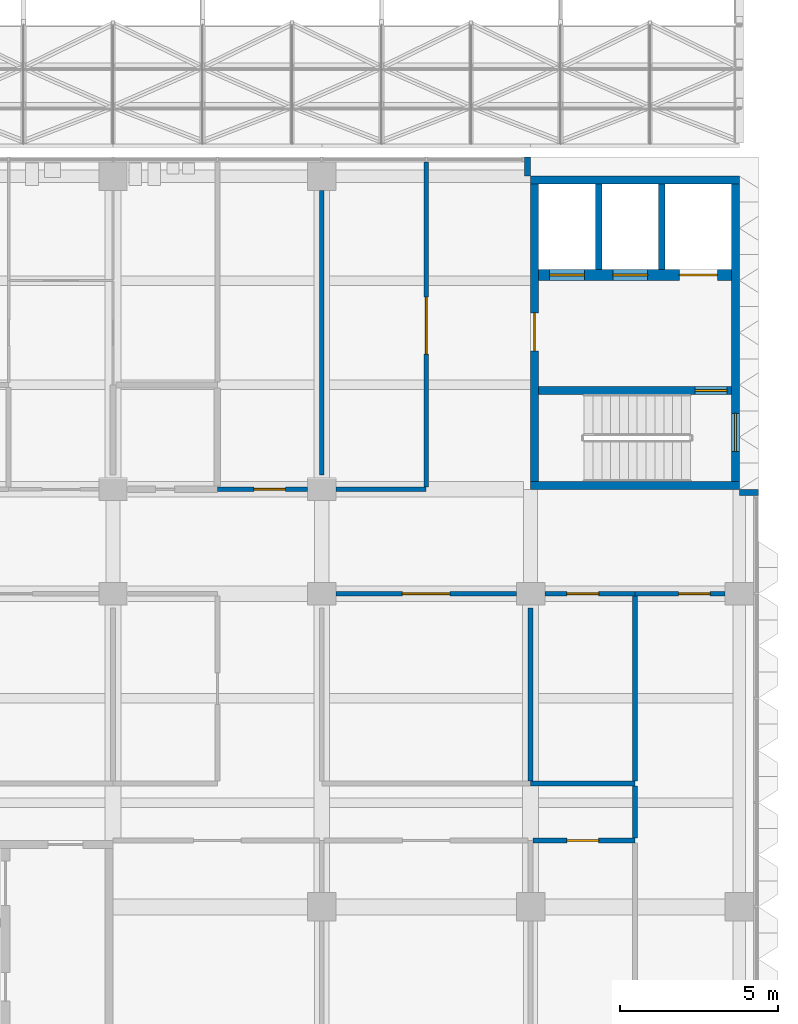
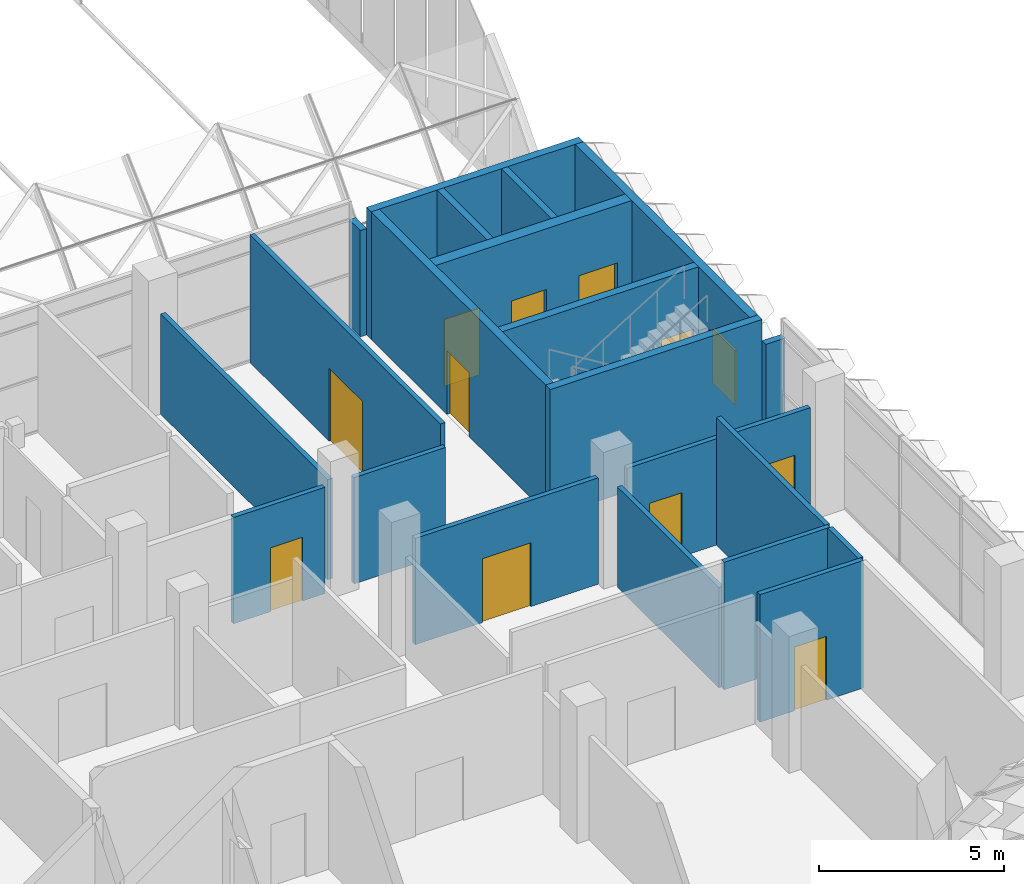
# One storey, part 55 of 109: 22 walls, 11 doors, 1 window, 12 openings.
"""IFC4 building model written with IfcOpenShell, lengths in metres."""

from ifc_helpers import new_model, si_unit, direction, frame, frame_2d, origin, place, context, subcontext, project, spatial, rectangle, extrude, material, layer, layer_set, type_object, element, fill, save


model = new_model("IFC4")

# Units and contexts
model_context = context("Model", 3, precision=1e-05, world=origin(), true_north=direction((0.0, 1.0)))
body_context = subcontext(model_context, "Body", "Model", "MODEL_VIEW")
ifc_project = project(units=[si_unit("LENGTHUNIT", "METRE"), si_unit("AREAUNIT", "SQUARE_METRE"), si_unit("VOLUMEUNIT", "CUBIC_METRE"), si_unit("PLANEANGLEUNIT", "RADIAN"), si_unit("MASSUNIT", "GRAM", prefix="KILO")], contexts=[model_context])

# Site, building, storey
site_placement = place(None, origin())
site = spatial("IfcSite", under=ifc_project, at=site_placement, CompositionType="ELEMENT")
building_placement = place(site_placement, origin())
building = spatial("IfcBuilding", under=site, at=building_placement, Name="Lantern Court Research Institute", CompositionType="ELEMENT")
storey_placement = place(building_placement, frame((0.0, 0.0, 14.39990234375)))
storey = spatial("IfcBuildingStorey", under=building, at=storey_placement, Name="L03", CompositionType="ELEMENT", Elevation=14.39990234375)

# Wall, opening, door
ifc_material_1 = material(Name="Fire-rated gypsum board partition, mineral wool filled")
ifc_layer_1 = layer(ifc_material_1, 0.14990234375)
ifc_layer_set_1 = layer_set([ifc_layer_1], Name="Fire-rated gypsum board partition, mineral wool filled")
wall_type_1 = type_object("IfcWallType", Name="Laboratory partition 150 EI 60", PredefinedType="PARTITIONING", material=ifc_layer_set_1)
wall_1_placement = place(storey_placement, frame((65.550048828125, 13.199951171875, 0.0), z_axis=(0.0, 0.0, 1.0), x_axis=(-1.0, 0.0, 0.0)))
wall_1 = element("IfcWall", 1, at=wall_1_placement, inside=storey, type_object=wall_type_1, Name="Laboratory partition 150 EI 60", PredefinedType="PARTITIONING", context=body_context, shape_type="SweptSolid", body=[
    extrude(rectangle(XDim=2.85009765625, YDim=0.14990234375, at=frame_2d((1.425048828125, 0.0))), origin(), (0.0, 0.0, 1.0), 3.5),
])
opening_1_placement = place(wall_1_placement, frame((0.699951171875, 0.0, 0.0)))
opening_1 = element("IfcOpeningElement", 2, at=opening_1_placement, cuts=wall_1, Name="Opening D5307", PredefinedType="OPENING", context=body_context, shape_type="SweptSolid", body=[
    extrude(rectangle(XDim=1.0, YDim=2.10009765625, at=frame_2d((0.5, 1.050048828125))), frame((0.0, 0.0849609375, 0.0), z_axis=(0.0, -1.0, 0.0), x_axis=(1.0, 0.0, 0.0)), (0.0, 0.0, 1.0), 0.169921875),
])
ifc_material_2 = material(Name="Solid-core timber door leaf with vision panel", Category="wood")
ifc_layer_2 = layer(ifc_material_2, 0.053955078125)
ifc_layer_set_2 = layer_set([ifc_layer_2], Name="Solid-core timber door leaf with vision panel")
door_type_1 = type_object("IfcDoorType", Name="Laboratory door 1000 x 2100 single FD30S", OperationType="NOTDEFINED", PredefinedType="DOOR", material=ifc_layer_set_2)
door_1_placement = place(opening_1_placement, origin())
door_1 = element("IfcDoor", 3, at=door_1_placement, inside=storey, type_object=door_type_1, Name="Door D5307", OperationType="SINGLE_SWING_LEFT", OverallHeight=2.10009765625, OverallWidth=1.0, PredefinedType="DOOR", context=body_context, shape_type="SweptSolid", body=[
    extrude(rectangle(XDim=1.0, YDim=2.10009765625, at=frame_2d((0.5, 1.050048828125))), frame((0.0, 0.02685546875, 0.0), z_axis=(0.0, -1.0, 0.0), x_axis=(1.0, 0.0, 0.0)), (0.0, 0.0, 1.0), 0.053955078125),
])
fill(opening_1, door_1)

# Wall
wall_2_placement = place(storey_placement, frame((69.300048828125, 13.199951171875, 0.0), z_axis=(0.0, 0.0, 1.0), x_axis=(-1.0, 0.0, 0.0)))
element("IfcWall", 4, at=wall_2_placement, inside=storey, type_object=wall_type_1, Name="Laboratory partition 150 EI 60", PredefinedType="PARTITIONING", context=body_context, shape_type="SweptSolid", body=[
    extrude(rectangle(XDim=2.85009765625, YDim=0.14990234375, at=frame_2d((1.425048828125, 0.0))), origin(), (0.0, 0.0, 1.0), 3.5),
])

# Wall, opening, door
wall_3_placement = place(storey_placement, frame((66.449951171875, 9.89990234375, 0.0), z_axis=(0.0, 0.0, 1.0), x_axis=(1.0, 0.0, 0.0)))
wall_3 = element("IfcWall", 5, at=wall_3_placement, inside=storey, type_object=wall_type_1, Name="Laboratory partition 150 EI 60", PredefinedType="PARTITIONING", context=body_context, shape_type="SweptSolid", body=[
    extrude(rectangle(XDim=5.699951171875, YDim=0.14990234375, at=frame_2d((2.85009765625, 0.0))), origin(), (0.0, 0.0, 1.0), 3.5),
])
opening_2_placement = place(wall_3_placement, frame((2.10009765625, 0.0, 0.0)))
opening_2 = element("IfcOpeningElement", 6, at=opening_2_placement, cuts=wall_3, Name="Opening D5314", PredefinedType="OPENING", context=body_context, shape_type="SweptSolid", body=[
    extrude(rectangle(XDim=1.5, YDim=2.10009765625, at=frame_2d((0.75, 1.050048828125))), frame((0.0, 0.0849609375, 0.0), z_axis=(0.0, -1.0, 0.0), x_axis=(1.0, 0.0, 0.0)), (0.0, 0.0, 1.0), 0.169921875),
])
ifc_material_3 = material(Name="Solid-core timber door leaf with vision panel", Category="wood")
ifc_layer_3 = layer(ifc_material_3, 0.053955078125)
ifc_layer_set_3 = layer_set([ifc_layer_3], Name="Solid-core timber door leaf with vision panel")
door_type_2 = type_object("IfcDoorType", Name="Laboratory double door 1500 x 2100 pair FD30S", OperationType="DOUBLE_DOOR_SINGLE_SWING", PredefinedType="DOOR", material=ifc_layer_set_3)
door_2_placement = place(opening_2_placement, origin())
door_2 = element("IfcDoor", 7, at=door_2_placement, inside=storey, type_object=door_type_2, Name="Door D5314", OperationType="DOUBLE_DOOR_SINGLE_SWING", OverallHeight=2.10009765625, OverallWidth=1.5, PredefinedType="DOOR", context=body_context, shape_type="SweptSolid", body=[
    extrude(rectangle(XDim=1.5, YDim=2.10009765625, at=frame_2d((0.75, 1.050048828125))), frame((0.0, 0.02685546875, 0.0), z_axis=(0.0, -1.0, 0.0), x_axis=(1.0, 0.0, 0.0)), (0.0, 0.0, 1.0), 0.053955078125),
])
fill(opening_2, door_2)

wall_4_placement = place(storey_placement, frame((73.050048828125, 9.89990234375, 0.0), z_axis=(0.0, 0.0, 1.0), x_axis=(1.0, 0.0, 0.0)))
wall_4 = element("IfcWall", 8, at=wall_4_placement, inside=storey, type_object=wall_type_1, Name="Laboratory partition 150 EI 60", PredefinedType="PARTITIONING", context=body_context, shape_type="SweptSolid", body=[
    extrude(rectangle(XDim=2.849853515625, YDim=0.14990234375, at=frame_2d((1.4248046875, 0.0))), origin(), (0.0, 0.0, 1.0), 3.5),
])
opening_3_placement = place(wall_4_placement, frame((0.699951171875, 0.0, 0.0)))
opening_3 = element("IfcOpeningElement", 9, at=opening_3_placement, cuts=wall_4, Name="Opening D5315", PredefinedType="OPENING", context=body_context, shape_type="SweptSolid", body=[
    extrude(rectangle(XDim=1.0, YDim=2.10009765625, at=frame_2d((0.5, 1.050048828125))), frame((0.0, 0.0849609375, 0.0), z_axis=(0.0, -1.0, 0.0), x_axis=(1.0, 0.0, 0.0)), (0.0, 0.0, 1.0), 0.169921875),
])
door_3_placement = place(opening_3_placement, origin())
door_3 = element("IfcDoor", 10, at=door_3_placement, inside=storey, type_object=door_type_1, Name="Door D5315", OperationType="SINGLE_SWING_LEFT", OverallHeight=2.10009765625, OverallWidth=1.0, PredefinedType="DOOR", context=body_context, shape_type="SweptSolid", body=[
    extrude(rectangle(XDim=1.0, YDim=2.10009765625, at=frame_2d((0.5, 1.050048828125))), frame((0.0, 0.02685546875, 0.0), z_axis=(0.0, -1.0, 0.0), x_axis=(1.0, 0.0, 0.0)), (0.0, 0.0, 1.0), 0.053955078125),
])
fill(opening_3, door_3)

wall_5_placement = place(storey_placement, frame((75.89990234375, 9.89990234375, 0.0), z_axis=(0.0, 0.0, 1.0), x_axis=(1.0, 0.0, 0.0)))
wall_5 = element("IfcWall", 11, at=wall_5_placement, inside=storey, type_object=wall_type_1, Name="Laboratory partition 150 EI 60", PredefinedType="PARTITIONING", context=body_context, shape_type="SweptSolid", body=[
    extrude(rectangle(XDim=2.85009765625, YDim=0.14990234375, at=frame_2d((1.425048828125, 0.0))), origin(), (0.0, 0.0, 1.0), 3.5),
])
opening_4_placement = place(wall_5_placement, frame((1.375, 0.0, 0.0)))
opening_4 = element("IfcOpeningElement", 12, at=opening_4_placement, cuts=wall_5, Name="Opening D5316", PredefinedType="OPENING", context=body_context, shape_type="SweptSolid", body=[
    extrude(rectangle(XDim=1.0, YDim=2.10009765625, at=frame_2d((0.5, 1.050048828125))), frame((0.0, 0.0849609375, 0.0), z_axis=(0.0, -1.0, 0.0), x_axis=(1.0, 0.0, 0.0)), (0.0, 0.0, 1.0), 0.169921875),
])
door_4_placement = place(opening_4_placement, origin())
door_4 = element("IfcDoor", 13, at=door_4_placement, inside=storey, type_object=door_type_1, Name="Door D5316", OperationType="SINGLE_SWING_LEFT", OverallHeight=2.10009765625, OverallWidth=1.0, PredefinedType="DOOR", context=body_context, shape_type="SweptSolid", body=[
    extrude(rectangle(XDim=1.0, YDim=2.10009765625, at=frame_2d((0.5, 1.050048828125))), frame((0.0, 0.02685546875, 0.0), z_axis=(0.0, -1.0, 0.0), x_axis=(1.0, 0.0, 0.0)), (0.0, 0.0, 1.0), 0.053955078125),
])
fill(opening_4, door_4)

# Wall
wall_6_placement = place(storey_placement, frame((66.0, 13.64990234375, 0.0), z_axis=(0.0, 0.0, 1.0), x_axis=(0.0, 1.0, 0.0)))
element("IfcWall", 14, at=wall_6_placement, inside=storey, type_object=wall_type_1, Name="Laboratory partition 150 EI 60", PredefinedType="PARTITIONING", context=body_context, shape_type="SweptSolid", body=[
    extrude(rectangle(XDim=9.0, YDim=0.14990234375, at=frame_2d((4.5, 0.0))), origin(), (0.0, 0.0, 1.0), 3.300048828125),
])

# Wall, opening, door
wall_7_placement = place(storey_placement, frame((69.300048828125, 23.550048828125, 0.0), z_axis=(0.0, 0.0, 1.0), x_axis=(0.0, -1.0, 0.0)))
wall_7 = element("IfcWall", 15, at=wall_7_placement, inside=storey, type_object=wall_type_1, Name="Laboratory partition 150 EI 60", PredefinedType="PARTITIONING", context=body_context, shape_type="SweptSolid", body=[
    extrude(rectangle(XDim=10.275146484375, YDim=0.14990234375, at=frame_2d((5.1376953125, 0.0))), origin(), (0.0, 0.0, 1.0), 4.2001953125),
])
opening_5_placement = place(wall_7_placement, frame((4.27490234375, 0.0, 0.0)))
opening_5 = element("IfcOpeningElement", 16, at=opening_5_placement, cuts=wall_7, Name="Opening D5308", PredefinedType="OPENING", context=body_context, shape_type="SweptSolid", body=[
    extrude(rectangle(XDim=1.800048828125, YDim=2.39990234375, at=frame_2d((0.89990234375, 1.199951171875))), frame((0.0, 0.0849609375, 0.0), z_axis=(0.0, -1.0, 0.0), x_axis=(1.0, 0.0, 0.0)), (0.0, 0.0, 1.0), 0.169921875),
])
ifc_material_4 = material(Name="Solid-core timber door leaf with vision panel", Category="wood")
ifc_layer_4 = layer(ifc_material_4, 0.053955078125)
ifc_layer_set_4 = layer_set([ifc_layer_4], Name="Solid-core timber door leaf with vision panel")
door_type_3 = type_object("IfcDoorType", Name="Laboratory equipment door 1800 x 2400 pair FD30S", OperationType="DOUBLE_DOOR_SINGLE_SWING", PredefinedType="DOOR", material=ifc_layer_set_4)
door_5_placement = place(opening_5_placement, origin())
door_5 = element("IfcDoor", 17, at=door_5_placement, inside=storey, type_object=door_type_3, Name="Door D5308", OperationType="DOUBLE_DOOR_SINGLE_SWING", OverallHeight=2.39990234375, OverallWidth=1.800048828125, PredefinedType="DOOR", context=body_context, shape_type="SweptSolid", body=[
    extrude(rectangle(XDim=1.800048828125, YDim=2.39990234375, at=frame_2d((0.89990234375, 1.199951171875))), frame((0.0, 0.02685546875, 0.0), z_axis=(0.0, -1.0, 0.0), x_axis=(1.0, 0.0, 0.0)), (0.0, 0.0, 1.0), 0.053955078125),
])
fill(opening_5, door_5)

wall_8_placement = place(storey_placement, frame((75.89990234375, 2.10009765625, 0.0), z_axis=(0.0, 0.0, 1.0), x_axis=(-1.0, 0.0, 0.0)))
wall_8 = element("IfcWall", 18, at=wall_8_placement, inside=storey, type_object=wall_type_1, Name="Laboratory partition 150 EI 60", PredefinedType="PARTITIONING", context=body_context, shape_type="SweptSolid", body=[
    extrude(rectangle(XDim=3.224853515625, YDim=0.14990234375, at=frame_2d((1.6123046875, 0.0))), origin(), (0.0, 0.0, 1.0), 4.2001953125),
])
opening_6_placement = place(wall_8_placement, frame((1.14990234375, 0.0, 0.0)))
opening_6 = element("IfcOpeningElement", 19, at=opening_6_placement, cuts=wall_8, Name="Opening D5311", PredefinedType="OPENING", context=body_context, shape_type="SweptSolid", body=[
    extrude(rectangle(XDim=1.0, YDim=2.10009765625, at=frame_2d((0.5, 1.050048828125))), frame((0.0, 0.0849609375, 0.0), z_axis=(0.0, -1.0, 0.0), x_axis=(1.0, 0.0, 0.0)), (0.0, 0.0, 1.0), 0.169921875),
])
door_6_placement = place(opening_6_placement, origin())
door_6 = element("IfcDoor", 20, at=door_6_placement, inside=storey, type_object=door_type_1, Name="Door D5311", OperationType="SINGLE_SWING_LEFT", OverallHeight=2.10009765625, OverallWidth=1.0, PredefinedType="DOOR", context=body_context, shape_type="SweptSolid", body=[
    extrude(rectangle(XDim=1.0, YDim=2.10009765625, at=frame_2d((0.5, 1.050048828125))), frame((0.0, 0.02685546875, 0.0), z_axis=(0.0, -1.0, 0.0), x_axis=(1.0, 0.0, 0.0)), (0.0, 0.0, 1.0), 0.053955078125),
])
fill(opening_6, door_6)

# Walls
wall_9_placement = place(storey_placement, frame((75.89990234375, 3.89990234375, 0.0), z_axis=(0.0, 0.0, 1.0), x_axis=(-1.0, 0.0, 0.0)))
element("IfcWall", 21, at=wall_9_placement, inside=storey, type_object=wall_type_1, Name="Laboratory partition 150 EI 60", PredefinedType="PARTITIONING", context=body_context, shape_type="SweptSolid", body=[
    extrude(rectangle(XDim=3.2998046875, YDim=0.14990234375, at=frame_2d((1.64990234375, 0.0))), origin(), (0.0, 0.0, 1.0), 4.2001953125),
])
wall_10_placement = place(storey_placement, frame((75.89990234375, 2.175048828125, 0.0), z_axis=(0.0, 0.0, 1.0), x_axis=(0.0, 1.0, 0.0)))
element("IfcWall", 22, at=wall_10_placement, inside=storey, type_object=wall_type_1, Name="Laboratory partition 150 EI 60", PredefinedType="PARTITIONING", context=body_context, shape_type="SweptSolid", body=[
    extrude(rectangle(XDim=1.64990234375, YDim=0.14990234375, at=frame_2d((0.824951171875, 0.0))), origin(), (0.0, 0.0, 1.0), 4.2001953125),
])
wall_11_placement = place(storey_placement, frame((72.60009765625, 3.97509765625, 0.0), z_axis=(0.0, 0.0, 1.0), x_axis=(0.0, 1.0, 0.0)))
element("IfcWall", 23, at=wall_11_placement, inside=storey, type_object=wall_type_1, Name="Laboratory partition 150 EI 60", PredefinedType="PARTITIONING", context=body_context, shape_type="SweptSolid", body=[
    extrude(rectangle(XDim=5.474853515625, YDim=0.14990234375, at=frame_2d((2.7373046875, 0.0))), origin(), (0.0, 0.0, 1.0), 3.300048828125),
])
wall_12_placement = place(storey_placement, frame((75.89990234375, 3.97509765625, 0.0), z_axis=(0.0, 0.0, 1.0), x_axis=(0.0, 1.0, 0.0)))
element("IfcWall", 24, at=wall_12_placement, inside=storey, type_object=wall_type_1, Name="Laboratory partition 150 EI 60", PredefinedType="PARTITIONING", context=body_context, shape_type="SweptSolid", body=[
    extrude(rectangle(XDim=5.849853515625, YDim=0.14990234375, at=frame_2d((2.9248046875, 0.0))), origin(), (0.0, 0.0, 1.0), 4.2001953125),
])
ifc_material_5 = material(Name="Concrete C40/50", Category="concrete")
ifc_layer_5 = layer(ifc_material_5, 0.25)
ifc_layer_set_5 = layer_set([ifc_layer_5], Name="Concrete C40/50")
wall_type_2 = type_object("IfcWallType", Name="RC core wall 250", PredefinedType="SHEAR", material=ifc_layer_set_5)
wall_13_placement = place(storey_placement, frame((72.60009765625, 13.324951171875, 0.0), z_axis=(0.0, 0.0, 1.0), x_axis=(1.0, 0.0, 0.0)))
element("IfcWall", 25, at=wall_13_placement, inside=storey, type_object=wall_type_2, Name="South wall of core TC-E", PredefinedType="SHEAR", context=body_context, shape_type="SweptSolid", body=[
    extrude(rectangle(XDim=6.599853515625, YDim=0.25, at=frame_2d((3.2998046875, 0.0))), origin(), (0.0, 0.0, 1.0), 4.2001953125),
])

# Wall, opening, door
wall_14_placement = place(storey_placement, frame((72.72509765625, 13.449951171875, 0.0), z_axis=(0.0, 0.0, 1.0), x_axis=(0.0, 1.0, 0.0)))
wall_14 = element("IfcWall", 26, at=wall_14_placement, inside=storey, type_object=wall_type_2, Name="West wall of core TC-E", PredefinedType="SHEAR", context=body_context, shape_type="SweptSolid", body=[
    extrude(rectangle(XDim=9.400146484375, YDim=0.25, at=frame_2d((4.7001953125, 0.0))), origin(), (0.0, 0.0, 1.0), 4.2001953125),
])
opening_7_placement = place(wall_14_placement, frame((4.125, 0.0, 0.0)))
opening_7 = element("IfcOpeningElement", 27, at=opening_7_placement, cuts=wall_14, Name="Opening D7162", PredefinedType="OPENING", context=body_context, shape_type="SweptSolid", body=[
    extrude(rectangle(XDim=1.199951171875, YDim=2.10009765625, at=frame_2d((0.60009765625, 1.050048828125))), frame((0.0, 0.135009765625, 0.0), z_axis=(0.0, -1.0, 0.0), x_axis=(1.0, 0.0, 0.0)), (0.0, 0.0, 1.0), 0.27001953125),
])
ifc_material_6 = material(Name="Steel fire door leaf with smoke seals", Category="steel")
door_type_4 = type_object("IfcDoorType", Name="Door 1200 x 2100 fire rated FD60S", OperationType="NOTDEFINED", PredefinedType="DOOR", material=ifc_material_6)
door_7_placement = place(opening_7_placement, origin())
door_7 = element("IfcDoor", 28, at=door_7_placement, inside=storey, type_object=door_type_4, Name="Lobby door", OperationType="SINGLE_SWING_LEFT", OverallHeight=2.10009765625, OverallWidth=1.199951171875, PredefinedType="DOOR", context=body_context, shape_type="SweptSolid", body=[
    extrude(rectangle(XDim=1.199951171875, YDim=2.10009765625, at=frame_2d((0.60009765625, 1.050048828125))), frame((0.0, 0.02490234375, 0.0), z_axis=(0.0, -1.0, 0.0), x_axis=(1.0, 0.0, 0.0)), (0.0, 0.0, 1.0), 0.050048828125),
])
fill(opening_7, door_7)

# Wall
ifc_material_7 = material(Name="Concrete C40/50", Category="concrete")
ifc_layer_6 = layer(ifc_material_7, 0.25)
ifc_layer_set_6 = layer_set([ifc_layer_6], Name="Concrete C40/50")
wall_type_3 = type_object("IfcWallType", Name="RC core wall 250 facade", PredefinedType="SHEAR", material=ifc_layer_set_6)
wall_15_placement = place(storey_placement, frame((72.60009765625, 22.97509765625, 0.0), z_axis=(0.0, 0.0, 1.0), x_axis=(1.0, 0.0, 0.0)))
element("IfcWall", 29, at=wall_15_placement, inside=storey, type_object=wall_type_3, Name="North wall of core TC-E", PredefinedType="SHEAR", context=body_context, shape_type="SweptSolid", body=[
    extrude(rectangle(XDim=6.599853515625, YDim=0.25, at=frame_2d((3.2998046875, 0.0))), origin(), (0.0, 0.0, 1.0), 4.2001953125),
])

# Wall, opening, window
wall_16_placement = place(storey_placement, frame((79.074951171875, 13.449951171875, 0.0), z_axis=(0.0, 0.0, 1.0), x_axis=(0.0, 1.0, 0.0)))
wall_16 = element("IfcWall", 30, at=wall_16_placement, inside=storey, type_object=wall_type_3, Name="East wall of core TC-E", PredefinedType="SHEAR", context=body_context, shape_type="SweptSolid", body=[
    extrude(rectangle(XDim=9.400146484375, YDim=0.25, at=frame_2d((4.7001953125, 0.0))), origin(), (0.0, 0.0, 1.0), 4.2001953125),
])
opening_8_placement = place(wall_16_placement, frame((0.949951171875, 0.0, 0.699951171875)))
opening_8 = element("IfcOpeningElement", 31, at=opening_8_placement, cuts=wall_16, Name="Opening W7", PredefinedType="OPENING", context=body_context, shape_type="SweptSolid", body=[
    extrude(rectangle(XDim=1.199951171875, YDim=1.800048828125, at=frame_2d((0.60009765625, 0.89990234375))), frame((0.0, 0.135009765625, 0.0), z_axis=(0.0, -1.0, 0.0), x_axis=(1.0, 0.0, 0.0)), (0.0, 0.0, 1.0), 0.27001953125),
])
ifc_material_8 = material(Name="Aluminium alloy 6063-T6 frame with laminated glass", Category="aluminium")
window_type = type_object("IfcWindowType", Name="Stair window 1200 x 1800", PartitioningType="SINGLE_PANEL", PredefinedType="WINDOW", material=ifc_material_8)
window_placement = place(opening_8_placement, origin())
window = element("IfcWindow", 32, at=window_placement, inside=storey, type_object=window_type, Name="Stair window", OverallHeight=1.800048828125, OverallWidth=1.199951171875, PartitioningType="SINGLE_PANEL", PredefinedType="WINDOW", context=body_context, shape_type="SweptSolid", body=[
    extrude(rectangle(XDim=1.199951171875, YDim=1.800048828125, at=frame_2d((0.60009765625, 0.89990234375))), frame((0.0, 0.030029296875, 0.0), z_axis=(0.0, -1.0, 0.0), x_axis=(1.0, 0.0, 0.0)), (0.0, 0.0, 1.0), 0.06005859375),
])
fill(opening_8, window)

# Walls
ifc_material_9 = material(Name="Concrete C40/50", Category="concrete")
ifc_layer_7 = layer(ifc_material_9, 0.199951171875)
ifc_layer_set_7 = layer_set([ifc_layer_7], Name="Concrete C40/50")
wall_type_4 = type_object("IfcWallType", Name="RC shaft wall 200", PredefinedType="SHEAR", material=ifc_layer_set_7)
for number, where, z_axis, x_axis, name in (
    (33, (74.75, 20.14990234375, 0.0), (0.0, 0.0, 1.0), (0.0, 1.0, 0.0), "Lift shaft wall of core TC-E"),
    (34, (76.75, 20.14990234375, 0.0), (0.0, 0.0, 1.0), (0.0, 1.0, 0.0), "Lift shaft wall of core TC-E"),
):
    element("IfcWall", number, at=place(storey_placement, frame(where, z_axis=z_axis, x_axis=x_axis)), inside=storey, type_object=wall_type_4, Name=name, PredefinedType="SHEAR", context=body_context, shape_type="SweptSolid", body=[
        extrude(rectangle(XDim=2.7001953125, YDim=0.199951171875, at=frame_2d((1.35009765625, 0.0))), origin(), (0.0, 0.0, 1.0), 4.2001953125),
    ])

# Wall, opening, door
ifc_material_10 = material(Name="Concrete C40/50", Category="concrete")
ifc_layer_8 = layer(ifc_material_10, 0.25)
ifc_layer_set_8 = layer_set([ifc_layer_8], Name="Concrete C40/50")
wall_type_5 = type_object("IfcWallType", Name="RC shaft wall 250", PredefinedType="SHEAR", material=ifc_layer_set_8)
wall_17_placement = place(storey_placement, frame((72.85009765625, 16.324951171875, 0.0), z_axis=(0.0, 0.0, 1.0), x_axis=(1.0, 0.0, 0.0)))
wall_17 = element("IfcWall", 35, at=wall_17_placement, inside=storey, type_object=wall_type_5, Name="Stair wall of core TC-E", PredefinedType="SHEAR", context=body_context, shape_type="SweptSolid", body=[
    extrude(rectangle(XDim=6.099853515625, YDim=0.25, at=frame_2d((3.0498046875, 0.0))), origin(), (0.0, 0.0, 1.0), 4.2001953125),
])
opening_9_placement = place(wall_17_placement, frame((4.949951171875, 0.0, 0.0)))
opening_9 = element("IfcOpeningElement", 36, at=opening_9_placement, cuts=wall_17, Name="Opening D7163", PredefinedType="OPENING", context=body_context, shape_type="SweptSolid", body=[
    extrude(rectangle(XDim=1.0, YDim=2.199951171875, at=frame_2d((0.5, 1.10009765625))), frame((0.0, 0.135009765625, 0.0), z_axis=(0.0, -1.0, 0.0), x_axis=(1.0, 0.0, 0.0)), (0.0, 0.0, 1.0), 0.27001953125),
])
ifc_material_11 = material(Name="Steel fire door leaf with smoke seals", Category="steel")
door_type_5 = type_object("IfcDoorType", Name="Door 1000 x 2200 fire rated FD60S", OperationType="NOTDEFINED", PredefinedType="DOOR", material=ifc_material_11)
door_8_placement = place(opening_9_placement, origin())
door_8 = element("IfcDoor", 37, at=door_8_placement, inside=storey, type_object=door_type_5, Name="Stair door", OperationType="SINGLE_SWING_RIGHT", OverallHeight=2.199951171875, OverallWidth=1.0, PredefinedType="DOOR", context=body_context, shape_type="SweptSolid", body=[
    extrude(rectangle(XDim=1.0, YDim=2.199951171875, at=frame_2d((0.5, 1.10009765625))), frame((0.0, 0.02490234375, 0.0), z_axis=(0.0, -1.0, 0.0), x_axis=(1.0, 0.0, 0.0)), (0.0, 0.0, 1.0), 0.050048828125),
])
fill(opening_9, door_8)

# Wall, openings, doors
ifc_material_12 = material(Name="Concrete C40/50", Category="concrete")
ifc_layer_9 = layer(ifc_material_12, 0.35009765625)
ifc_layer_set_9 = layer_set([ifc_layer_9], Name="Concrete C40/50")
wall_type_6 = type_object("IfcWallType", Name="RC shaft wall 350", PredefinedType="SHEAR", material=ifc_layer_set_9)
wall_18_placement = place(storey_placement, frame((72.85009765625, 19.97509765625, 0.0), z_axis=(0.0, 0.0, 1.0), x_axis=(1.0, 0.0, 0.0)))
wall_18 = element("IfcWall", 38, at=wall_18_placement, inside=storey, type_object=wall_type_6, Name="Lift shaft wall of core TC-E", PredefinedType="SHEAR", context=body_context, shape_type="SweptSolid", body=[
    extrude(rectangle(XDim=6.099853515625, YDim=0.35009765625, at=frame_2d((3.0498046875, 0.0))), origin(), (0.0, 0.0, 1.0), 4.2001953125),
])
opening_10_placement = place(wall_18_placement, frame((0.35009765625, 0.0, 0.0)))
opening_10 = element("IfcOpeningElement", 39, at=opening_10_placement, cuts=wall_18, Name="Opening D7164", PredefinedType="OPENING", context=body_context, shape_type="SweptSolid", body=[
    extrude(rectangle(XDim=1.10009765625, YDim=2.199951171875, at=frame_2d((0.550048828125, 1.10009765625))), frame((0.0, 0.18505859375, 0.0), z_axis=(0.0, -1.0, 0.0), x_axis=(1.0, 0.0, 0.0)), (0.0, 0.0, 1.0), 0.3701171875),
])
opening_11_placement = place(wall_18_placement, frame((2.35009765625, 0.0, 0.0)))
opening_11 = element("IfcOpeningElement", 40, at=opening_11_placement, cuts=wall_18, Name="Opening D7165", PredefinedType="OPENING", context=body_context, shape_type="SweptSolid", body=[
    extrude(rectangle(XDim=1.10009765625, YDim=2.199951171875, at=frame_2d((0.550048828125, 1.10009765625))), frame((0.0, 0.18505859375, 0.0), z_axis=(0.0, -1.0, 0.0), x_axis=(1.0, 0.0, 0.0)), (0.0, 0.0, 1.0), 0.3701171875),
])
opening_12_placement = place(wall_18_placement, frame((4.449951171875, 0.0, 0.0)))
opening_12 = element("IfcOpeningElement", 41, at=opening_12_placement, cuts=wall_18, Name="Opening D7166", PredefinedType="OPENING", context=body_context, shape_type="SweptSolid", body=[
    extrude(rectangle(XDim=1.199951171875, YDim=2.300048828125, at=frame_2d((0.60009765625, 1.14990234375))), frame((0.0, 0.18505859375, 0.0), z_axis=(0.0, -1.0, 0.0), x_axis=(1.0, 0.0, 0.0)), (0.0, 0.0, 1.0), 0.3701171875),
])
ifc_material_13 = material(Name="Stainless steel landing door panels", Category="steel")
door_type_6 = type_object("IfcDoorType", Name="Lift landing door 1100 x 2200 sliding FD60", OperationType="DOUBLE_DOOR_SLIDING", PredefinedType="NOTDEFINED", material=ifc_material_13)
door_9_placement = place(opening_10_placement, origin())
door_9 = element("IfcDoor", 42, at=door_9_placement, inside=storey, type_object=door_type_6, Name="Landing door", OperationType="DOUBLE_DOOR_SLIDING", OverallHeight=2.199951171875, OverallWidth=1.10009765625, PredefinedType="NOTDEFINED", context=body_context, shape_type="SweptSolid", body=[
    extrude(rectangle(XDim=1.10009765625, YDim=2.199951171875, at=frame_2d((0.550048828125, 1.10009765625))), frame((0.0, 0.02490234375, 0.0), z_axis=(0.0, -1.0, 0.0), x_axis=(1.0, 0.0, 0.0)), (0.0, 0.0, 1.0), 0.050048828125),
])
fill(opening_10, door_9)
door_10_placement = place(opening_11_placement, origin())
door_10 = element("IfcDoor", 43, at=door_10_placement, inside=storey, type_object=door_type_6, Name="Landing door", OperationType="DOUBLE_DOOR_SLIDING", OverallHeight=2.199951171875, OverallWidth=1.10009765625, PredefinedType="NOTDEFINED", context=body_context, shape_type="SweptSolid", body=[
    extrude(rectangle(XDim=1.10009765625, YDim=2.199951171875, at=frame_2d((0.550048828125, 1.10009765625))), frame((0.0, 0.02490234375, 0.0), z_axis=(0.0, -1.0, 0.0), x_axis=(1.0, 0.0, 0.0)), (0.0, 0.0, 1.0), 0.050048828125),
])
fill(opening_11, door_10)
ifc_material_14 = material(Name="Stainless steel landing door panels", Category="steel")
door_type_7 = type_object("IfcDoorType", Name="Lift landing door 1200 x 2300 sliding FD60", OperationType="DOUBLE_DOOR_SLIDING", PredefinedType="NOTDEFINED", material=ifc_material_14)
door_11_placement = place(opening_12_placement, origin())
door_11 = element("IfcDoor", 44, at=door_11_placement, inside=storey, type_object=door_type_7, Name="Landing door", OperationType="DOUBLE_DOOR_SLIDING", OverallHeight=2.300048828125, OverallWidth=1.199951171875, PredefinedType="NOTDEFINED", context=body_context, shape_type="SweptSolid", body=[
    extrude(rectangle(XDim=1.199951171875, YDim=2.300048828125, at=frame_2d((0.60009765625, 1.14990234375))), frame((0.0, 0.02490234375, 0.0), z_axis=(0.0, -1.0, 0.0), x_axis=(1.0, 0.0, 0.0)), (0.0, 0.0, 1.0), 0.050048828125),
])
fill(opening_12, door_11)

# Walls
ifc_material_15 = material(Name="Concrete C40/50", Category="concrete")
ifc_layer_10 = layer(ifc_material_15, 0.199951171875)
ifc_layer_set_10 = layer_set([ifc_layer_10], Name="Concrete C40/50")
wall_type_7 = type_object("IfcWallType", Name="Return wall 200 concrete EI 120 aluminium faced", PredefinedType="STANDARD", material=ifc_layer_set_10)
wall_19_placement = place(storey_placement, frame((79.199951171875, 13.10009765625, 0.0), z_axis=(0.0, 0.0, 1.0), x_axis=(1.0, 0.0, 0.0)))
element("IfcWall", 45, at=wall_19_placement, inside=storey, type_object=wall_type_7, Name="Core return wall 39", PredefinedType="STANDARD", context=body_context, shape_type="SweptSolid", body=[
    extrude(rectangle(XDim=0.60009765625, YDim=0.199951171875, at=frame_2d((0.300048828125, 0.0))), origin(), (0.0, 0.0, 1.0), 3.5),
])
wall_20_placement = place(storey_placement, frame((72.5, 23.10009765625, 0.0), z_axis=(0.0, 0.0, 1.0), x_axis=(0.0, 1.0, 0.0)))
element("IfcWall", 46, at=wall_20_placement, inside=storey, type_object=wall_type_7, Name="Core return wall 40", PredefinedType="STANDARD", context=body_context, shape_type="SweptSolid", body=[
    extrude(rectangle(XDim=0.599853515625, YDim=0.199951171875, at=frame_2d((0.2998046875, 0.0))), origin(), (0.0, 0.0, 1.0), 3.5),
])

save(model, "model.ifc")
